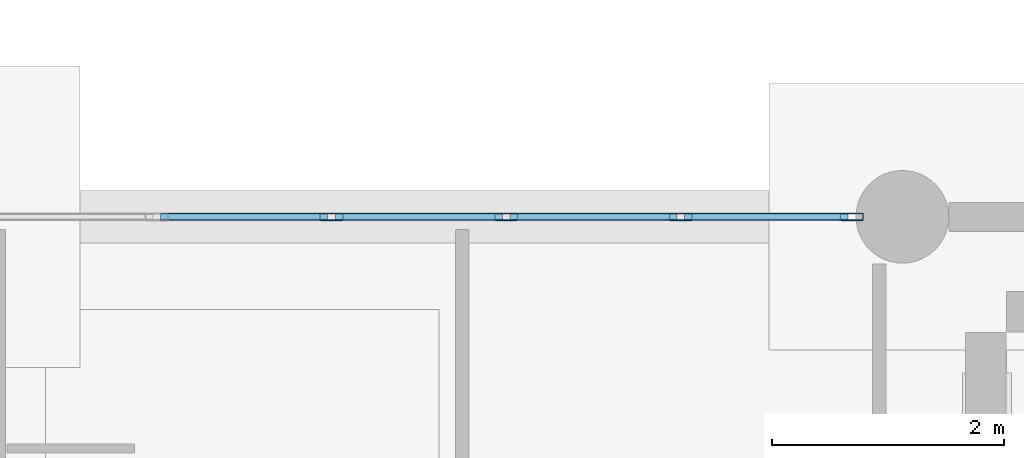
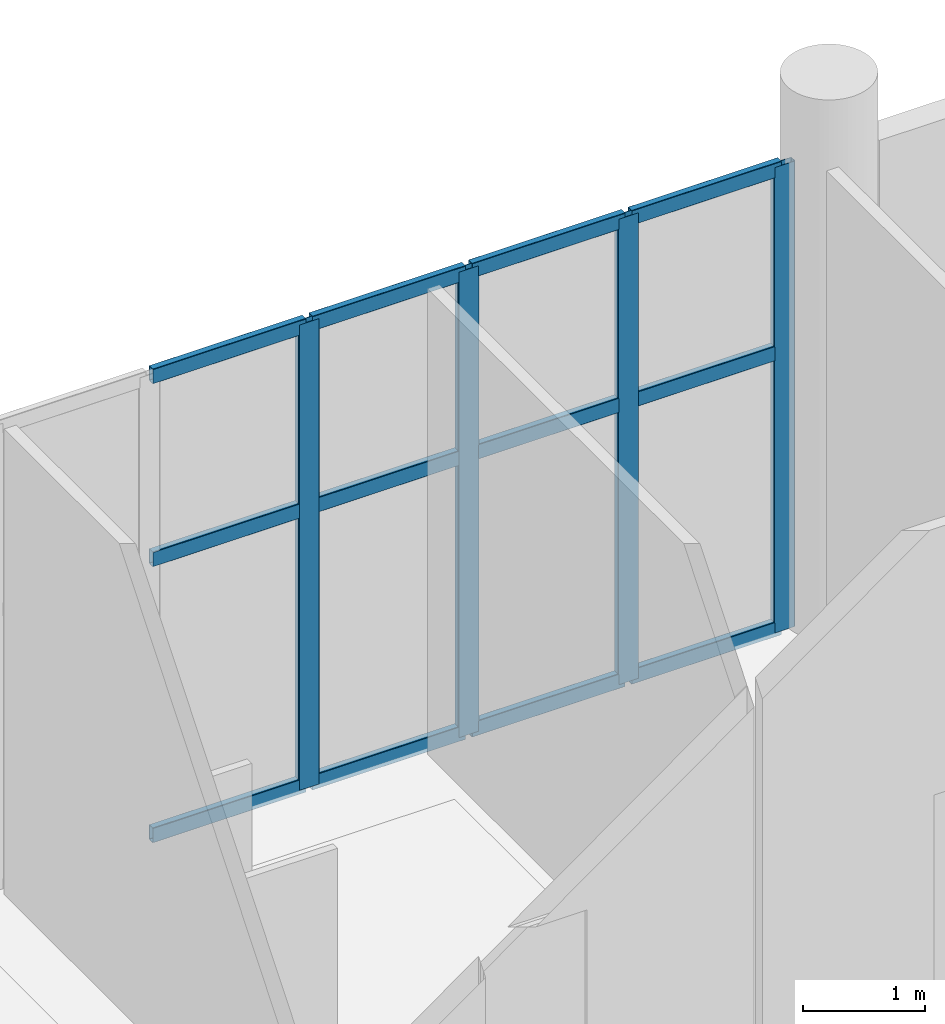
# One storey, part 39 of 95: 16 members, 1 element without a shape of its own.
"""IFC4 building model written with IfcOpenShell, lengths in metres."""

from ifc_helpers import new_model, si_unit, direction, frame, origin, origin_2d, place, context, subcontext, project, spatial, hollow_rectangle, extrude, material, material_profile, profile_set, type_object, element, aggregate, save


model = new_model("IFC4")

# Units and contexts
model_context = context("Model", 3, precision=1e-05, world=origin(), true_north=direction((0.0, 1.0)))
body_context = subcontext(model_context, "Body", "Model", "MODEL_VIEW")
ifc_project = project(units=[si_unit("LENGTHUNIT", "METRE"), si_unit("AREAUNIT", "SQUARE_METRE"), si_unit("VOLUMEUNIT", "CUBIC_METRE"), si_unit("PLANEANGLEUNIT", "RADIAN"), si_unit("MASSUNIT", "GRAM", prefix="KILO")], contexts=[model_context])

# Site, building, storey
site_placement = place(None, origin())
site = spatial("IfcSite", under=ifc_project, at=site_placement, CompositionType="ELEMENT")
building_placement = place(site_placement, origin())
building = spatial("IfcBuilding", under=site, at=building_placement, Name="Shengluoqiao Park Theatre", CompositionType="ELEMENT")
storey_placement = place(building_placement, origin())
storey = spatial("IfcBuildingStorey", under=building, at=storey_placement, Name="L00", CompositionType="ELEMENT", Elevation=0.0)

# Curtain wall, members
ifc_material = material(Name="Aluminium 6063-T6", Category="aluminium")
curtain_wall_type = type_object("IfcCurtainWallType", Name="ENV-CW-FOYER", PredefinedType="NOTDEFINED", material=ifc_material)
curtain_wall_placement = place(storey_placement, origin())
curtain_wall = element("IfcCurtainWall", 1, at=curtain_wall_placement, inside=storey, type_object=curtain_wall_type, Name="L00 Curtain Wall CW-L00-0038", PredefinedType="NOTDEFINED")
ifc_material_profile_1 = material_profile(ifc_material, hollow_rectangle(XDim=0.06494140625, YDim=0.199951171875, WallThickness=0.0048828125, InnerFilletRadius=0.0048828125, OuterFilletRadius=0.010009765625, at=origin_2d()), Name="ALU MULLION 200x65x5")
ifc_profile_set_1 = profile_set([ifc_material_profile_1], Name="Aluminium 6063-T6")
member_type_1 = type_object("IfcMemberType", Name="ENV-MUL-200", PredefinedType="MULLION", material=ifc_profile_set_1)
member_1_placement = place(storey_placement, frame((31.07080078125, 76.0, 0.0), z_axis=(0.0, 0.0, 1.0), x_axis=(0.0, 1.0, 0.0)))
member_1 = element("IfcMember", 2, at=member_1_placement, type_object=member_type_1, Name="CW-01 mullion 3", PredefinedType="MULLION", context=body_context, shape_type="SweptSolid", body=[
    extrude(hollow_rectangle(XDim=0.06494140625, YDim=0.199951171875, WallThickness=0.0048828125, InnerFilletRadius=0.0048828125, OuterFilletRadius=0.010009765625, at=origin_2d()), origin(), (0.0, 0.0, 1.0), 4.64990234375),
])
member_2_placement = place(storey_placement, frame((32.5791015625, 76.0, 0.0), z_axis=(0.0, 0.0, 1.0), x_axis=(0.0, 1.0, 0.0)))
member_2 = element("IfcMember", 3, at=member_2_placement, type_object=member_type_1, Name="CW-01 mullion 4", PredefinedType="MULLION", context=body_context, shape_type="SweptSolid", body=[
    extrude(hollow_rectangle(XDim=0.06494140625, YDim=0.199951171875, WallThickness=0.0048828125, InnerFilletRadius=0.0048828125, OuterFilletRadius=0.010009765625, at=origin_2d()), origin(), (0.0, 0.0, 1.0), 4.64990234375),
])
member_3_placement = place(storey_placement, frame((34.087646484375, 76.0, 0.0), z_axis=(0.0, 0.0, 1.0), x_axis=(0.0, 1.0, 0.0)))
member_3 = element("IfcMember", 4, at=member_3_placement, type_object=member_type_1, Name="CW-01 mullion 5", PredefinedType="MULLION", context=body_context, shape_type="SweptSolid", body=[
    extrude(hollow_rectangle(XDim=0.06494140625, YDim=0.199951171875, WallThickness=0.0048828125, InnerFilletRadius=0.0048828125, OuterFilletRadius=0.010009765625, at=origin_2d()), origin(), (0.0, 0.0, 1.0), 4.64990234375),
])
member_4_placement = place(storey_placement, frame((35.5634765625, 76.0, 0.0), z_axis=(0.0, 0.0, 1.0), x_axis=(0.0, 1.0, 0.0)))
member_4 = element("IfcMember", 5, at=member_4_placement, type_object=member_type_1, Name="CW-01 mullion 6", PredefinedType="MULLION", context=body_context, shape_type="SweptSolid", body=[
    extrude(hollow_rectangle(XDim=0.06494140625, YDim=0.199951171875, WallThickness=0.0048828125, InnerFilletRadius=0.0048828125, OuterFilletRadius=0.010009765625, at=origin_2d()), origin(), (0.0, 0.0, 1.0), 4.64990234375),
])
ifc_material_profile_2 = material_profile(ifc_material, hollow_rectangle(XDim=0.06494140625, YDim=0.14990234375, WallThickness=0.00390625, InnerFilletRadius=0.00390625, OuterFilletRadius=0.008056640625, at=origin_2d()), Name="ALU TRANSOM 150x65x4")
ifc_profile_set_2 = profile_set([ifc_material_profile_2], Name="Aluminium 6063-T6")
member_type_2 = type_object("IfcMemberType", Name="ENV-TRN-150", PredefinedType="USERDEFINED", material=ifc_profile_set_2)
member_5_placement = place(storey_placement, frame((29.594970703125, 76.0, 0.032470703125), z_axis=(1.0, 0.0, 0.0), x_axis=(0.0, 1.0, 0.0)))
member_5 = element("IfcMember", 6, at=member_5_placement, type_object=member_type_2, Name="CW-01 transom 2.1", ObjectType="TRANSOM", PredefinedType="USERDEFINED", context=body_context, shape_type="SweptSolid", body=[
    extrude(hollow_rectangle(XDim=0.06494140625, YDim=0.14990234375, WallThickness=0.00390625, InnerFilletRadius=0.00390625, OuterFilletRadius=0.008056640625, at=origin_2d()), origin(), (0.0, 0.0, 1.0), 1.443359375),
])
member_6_placement = place(storey_placement, frame((29.594970703125, 76.0, 2.7900390625), z_axis=(1.0, 0.0, 0.0), x_axis=(0.0, 1.0, 0.0)))
member_6 = element("IfcMember", 7, at=member_6_placement, type_object=member_type_2, Name="CW-01 transom 2.2", ObjectType="TRANSOM", PredefinedType="USERDEFINED", context=body_context, shape_type="SweptSolid", body=[
    extrude(hollow_rectangle(XDim=0.06494140625, YDim=0.14990234375, WallThickness=0.00390625, InnerFilletRadius=0.00390625, OuterFilletRadius=0.008056640625, at=origin_2d()), origin(), (0.0, 0.0, 1.0), 1.443359375),
])
member_7_placement = place(storey_placement, frame((29.594970703125, 76.0, 4.617431640625), z_axis=(1.0, 0.0, 0.0), x_axis=(0.0, 1.0, 0.0)))
member_7 = element("IfcMember", 8, at=member_7_placement, type_object=member_type_2, Name="CW-01 transom 2.3", ObjectType="TRANSOM", PredefinedType="USERDEFINED", context=body_context, shape_type="SweptSolid", body=[
    extrude(hollow_rectangle(XDim=0.06494140625, YDim=0.14990234375, WallThickness=0.00390625, InnerFilletRadius=0.00390625, OuterFilletRadius=0.008056640625, at=origin_2d()), origin(), (0.0, 0.0, 1.0), 1.443359375),
])
member_8_placement = place(storey_placement, frame((31.103271484375, 76.0, 0.032470703125), z_axis=(1.0, 0.0, 0.0), x_axis=(0.0, 1.0, 0.0)))
member_8 = element("IfcMember", 9, at=member_8_placement, type_object=member_type_2, Name="CW-01 transom 3.1", ObjectType="TRANSOM", PredefinedType="USERDEFINED", context=body_context, shape_type="SweptSolid", body=[
    extrude(hollow_rectangle(XDim=0.06494140625, YDim=0.14990234375, WallThickness=0.00390625, InnerFilletRadius=0.00390625, OuterFilletRadius=0.008056640625, at=origin_2d()), origin(), (0.0, 0.0, 1.0), 1.443359375),
])
member_9_placement = place(storey_placement, frame((31.103271484375, 76.0, 2.7900390625), z_axis=(1.0, 0.0, 0.0), x_axis=(0.0, 1.0, 0.0)))
member_9 = element("IfcMember", 10, at=member_9_placement, type_object=member_type_2, Name="CW-01 transom 3.2", ObjectType="TRANSOM", PredefinedType="USERDEFINED", context=body_context, shape_type="SweptSolid", body=[
    extrude(hollow_rectangle(XDim=0.06494140625, YDim=0.14990234375, WallThickness=0.00390625, InnerFilletRadius=0.00390625, OuterFilletRadius=0.008056640625, at=origin_2d()), origin(), (0.0, 0.0, 1.0), 1.443359375),
])
member_10_placement = place(storey_placement, frame((31.103271484375, 76.0, 4.617431640625), z_axis=(1.0, 0.0, 0.0), x_axis=(0.0, 1.0, 0.0)))
member_10 = element("IfcMember", 11, at=member_10_placement, type_object=member_type_2, Name="CW-01 transom 3.3", ObjectType="TRANSOM", PredefinedType="USERDEFINED", context=body_context, shape_type="SweptSolid", body=[
    extrude(hollow_rectangle(XDim=0.06494140625, YDim=0.14990234375, WallThickness=0.00390625, InnerFilletRadius=0.00390625, OuterFilletRadius=0.008056640625, at=origin_2d()), origin(), (0.0, 0.0, 1.0), 1.443359375),
])
member_11_placement = place(storey_placement, frame((32.61181640625, 76.0, 0.032470703125), z_axis=(1.0, 0.0, 0.0), x_axis=(0.0, 1.0, 0.0)))
member_11 = element("IfcMember", 12, at=member_11_placement, type_object=member_type_2, Name="CW-01 transom 4.1", ObjectType="TRANSOM", PredefinedType="USERDEFINED", context=body_context, shape_type="SweptSolid", body=[
    extrude(hollow_rectangle(XDim=0.06494140625, YDim=0.14990234375, WallThickness=0.00390625, InnerFilletRadius=0.00390625, OuterFilletRadius=0.008056640625, at=origin_2d()), origin(), (0.0, 0.0, 1.0), 1.443359375),
])
member_12_placement = place(storey_placement, frame((32.61181640625, 76.0, 2.7900390625), z_axis=(1.0, 0.0, 0.0), x_axis=(0.0, 1.0, 0.0)))
member_12 = element("IfcMember", 13, at=member_12_placement, type_object=member_type_2, Name="CW-01 transom 4.2", ObjectType="TRANSOM", PredefinedType="USERDEFINED", context=body_context, shape_type="SweptSolid", body=[
    extrude(hollow_rectangle(XDim=0.06494140625, YDim=0.14990234375, WallThickness=0.00390625, InnerFilletRadius=0.00390625, OuterFilletRadius=0.008056640625, at=origin_2d()), origin(), (0.0, 0.0, 1.0), 1.443359375),
])
member_13_placement = place(storey_placement, frame((32.61181640625, 76.0, 4.617431640625), z_axis=(1.0, 0.0, 0.0), x_axis=(0.0, 1.0, 0.0)))
member_13 = element("IfcMember", 14, at=member_13_placement, type_object=member_type_2, Name="CW-01 transom 4.3", ObjectType="TRANSOM", PredefinedType="USERDEFINED", context=body_context, shape_type="SweptSolid", body=[
    extrude(hollow_rectangle(XDim=0.06494140625, YDim=0.14990234375, WallThickness=0.00390625, InnerFilletRadius=0.00390625, OuterFilletRadius=0.008056640625, at=origin_2d()), origin(), (0.0, 0.0, 1.0), 1.443359375),
])
member_14_placement = place(storey_placement, frame((34.1201171875, 76.0, 0.032470703125), z_axis=(1.0, 0.0, 0.0), x_axis=(0.0, 1.0, 0.0)))
member_14 = element("IfcMember", 15, at=member_14_placement, type_object=member_type_2, Name="CW-01 transom 5.1", ObjectType="TRANSOM", PredefinedType="USERDEFINED", context=body_context, shape_type="SweptSolid", body=[
    extrude(hollow_rectangle(XDim=0.06494140625, YDim=0.14990234375, WallThickness=0.00390625, InnerFilletRadius=0.00390625, OuterFilletRadius=0.008056640625, at=origin_2d()), origin(), (0.0, 0.0, 1.0), 1.410888671875),
])
member_15_placement = place(storey_placement, frame((34.1201171875, 76.0, 2.7900390625), z_axis=(1.0, 0.0, 0.0), x_axis=(0.0, 1.0, 0.0)))
member_15 = element("IfcMember", 16, at=member_15_placement, type_object=member_type_2, Name="CW-01 transom 5.2", ObjectType="TRANSOM", PredefinedType="USERDEFINED", context=body_context, shape_type="SweptSolid", body=[
    extrude(hollow_rectangle(XDim=0.06494140625, YDim=0.14990234375, WallThickness=0.00390625, InnerFilletRadius=0.00390625, OuterFilletRadius=0.008056640625, at=origin_2d()), origin(), (0.0, 0.0, 1.0), 1.410888671875),
])
member_16_placement = place(storey_placement, frame((34.1201171875, 76.0, 4.617431640625), z_axis=(1.0, 0.0, 0.0), x_axis=(0.0, 1.0, 0.0)))
member_16 = element("IfcMember", 17, at=member_16_placement, type_object=member_type_2, Name="CW-01 transom 5.3", ObjectType="TRANSOM", PredefinedType="USERDEFINED", context=body_context, shape_type="SweptSolid", body=[
    extrude(hollow_rectangle(XDim=0.06494140625, YDim=0.14990234375, WallThickness=0.00390625, InnerFilletRadius=0.00390625, OuterFilletRadius=0.008056640625, at=origin_2d()), origin(), (0.0, 0.0, 1.0), 1.410888671875),
])
aggregate(curtain_wall, [member_1, member_2, member_3, member_4, member_5, member_6, member_7, member_8, member_9, member_10, member_11, member_12, member_13, member_14, member_15, member_16])

save(model, "model.ifc")
